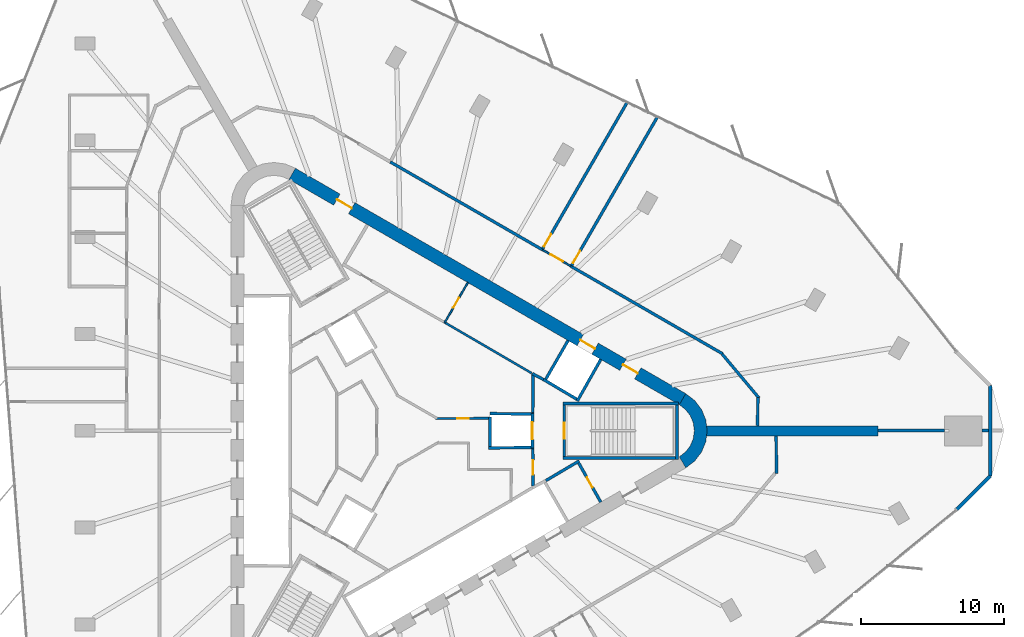
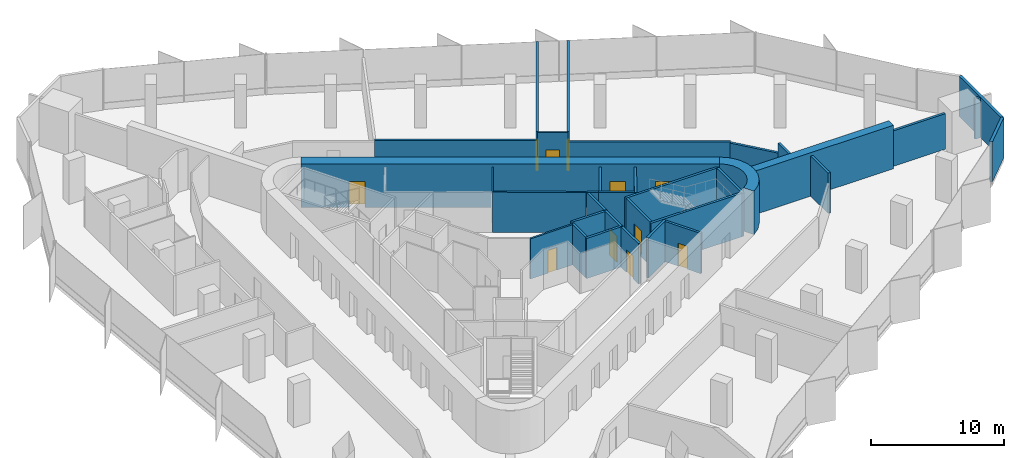
# One storey, part 11 of 13: 34 walls, 12 doors, 12 openings.
"""IFC4 building model written with IfcOpenShell, lengths in metres."""

from ifc_helpers import new_model, si_unit, direction, frame, frame_2d, origin, place, context, subcontext, project, spatial, polyline, rectangle, outline, extrude, material, layer, layer_set, type_object, element, fill, save


model = new_model("IFC4")

# Units and contexts
model_context = context("Model", 3, precision=1e-05, world=origin(), true_north=direction((0.0, 1.0)))
body_context = subcontext(model_context, "Body", "Model", "MODEL_VIEW")
ifc_project = project(units=[si_unit("LENGTHUNIT", "METRE"), si_unit("AREAUNIT", "SQUARE_METRE"), si_unit("VOLUMEUNIT", "CUBIC_METRE"), si_unit("PLANEANGLEUNIT", "RADIAN"), si_unit("MASSUNIT", "GRAM", prefix="KILO")], contexts=[model_context])

# Site, building, storey
site_placement = place(None, origin())
site = spatial("IfcSite", under=ifc_project, at=site_placement, CompositionType="ELEMENT")
building_placement = place(site_placement, origin())
building = spatial("IfcBuilding", under=site, at=building_placement, Name="Tanit Gate Tower", CompositionType="ELEMENT")
storey_placement = place(building_placement, frame((0.0, 0.0, 193.199951171875)))
storey = spatial("IfcBuildingStorey", under=building, at=storey_placement, Name="L42", CompositionType="ELEMENT", Elevation=193.199951171875)

# Wall
ifc_material_1 = material(Name="Concrete C50/60", Category="concrete")
ifc_layer_1 = layer(ifc_material_1, 0.699951171875)
ifc_layer_set_1 = layer_set([ifc_layer_1], Name="BUTTRESS FIN 700 C50/60")
wall_type_1 = type_object("IfcWallType", Name="BUTTRESS FIN 700 C50/60", PredefinedType="SHEAR", material=ifc_layer_set_1)
wall_1_placement = place(storey_placement, frame((21.14990234375, 0.0, 0.0), z_axis=(0.0, 0.0, 1.0), x_axis=(1.0, 0.0, 0.0)))
element("IfcWall", 1, at=wall_1_placement, inside=storey, type_object=wall_type_1, Name="BUTTRESS FIN", PredefinedType="SHEAR", context=body_context, shape_type="SweptSolid", body=[
    extrude(rectangle(XDim=12.0068359375, YDim=0.699951171875, at=frame_2d((6.00341796875, 0.0))), origin(), (0.0, 0.0, 1.0), 4.0),
])

# Wall, openings, doors
ifc_material_2 = material(Name="Concrete C50/60", Category="concrete")
ifc_layer_2 = layer(ifc_material_2, 0.89990234375)
ifc_layer_set_2 = layer_set([ifc_layer_2], Name="CORE WALL 900 C50/60")
wall_type_2 = type_object("IfcWallType", Name="CORE WALL 900 C50/60", PredefinedType="SHEAR", material=ifc_layer_set_2)
wall_2_placement = place(storey_placement, frame((19.47509765625, 2.20849609375, 0.0), z_axis=(0.0, 0.0, 1.0), x_axis=(-0.866028369851, 0.499994862586, 0.0)))
wall_2 = element("IfcWall", 2, at=wall_2_placement, inside=storey, type_object=wall_type_2, Name="CORE WALL", PredefinedType="SHEAR", context=body_context, shape_type="SweptSolid", body=[
    extrude(rectangle(XDim=31.523193359375, YDim=0.89990234375, at=frame_2d((15.76171875, 0.0))), origin(), (0.0, 0.0, 1.0), 4.0),
])
opening_1_placement = place(wall_2_placement, frame((7.0615234375, 0.0, 0.0)))
opening_1 = element("IfcOpeningElement", 3, at=opening_1_placement, cuts=wall_2, Name="Opening LDML8-S11", PredefinedType="OPENING", context=body_context, shape_type="SweptSolid", body=[
    extrude(rectangle(XDim=1.199951171875, YDim=2.39990234375, at=frame_2d((0.60009765625, 1.199951171875))), frame((0.0, 0.4599609375, 0.0), z_axis=(0.0, -1.0, 0.0), x_axis=(1.0, 0.0, 0.0)), (0.0, 0.0, 1.0), 0.919921875),
])
opening_2_placement = place(wall_2_placement, frame((3.611572265625, 0.0, 0.0)))
opening_2 = element("IfcOpeningElement", 4, at=opening_2_placement, cuts=wall_2, Name="Opening F12-S11-FL1", PredefinedType="OPENING", context=body_context, shape_type="SweptSolid", body=[
    extrude(rectangle(XDim=1.199951171875, YDim=2.39990234375, at=frame_2d((0.60009765625, 1.199951171875))), frame((0.0, 0.4599609375, 0.0), z_axis=(0.0, -1.0, 0.0), x_axis=(1.0, 0.0, 0.0)), (0.0, 0.0, 1.0), 0.919921875),
])
opening_3_placement = place(wall_2_placement, frame((26.711669921875, 0.0, 0.0)))
opening_3 = element("IfcOpeningElement", 5, at=opening_3_placement, cuts=wall_2, Name="Opening F12-S11-S2", PredefinedType="OPENING", context=body_context, shape_type="SweptSolid", body=[
    extrude(rectangle(XDim=1.199951171875, YDim=2.39990234375, at=frame_2d((0.60009765625, 1.199951171875))), frame((0.0, 0.4599609375, 0.0), z_axis=(0.0, -1.0, 0.0), x_axis=(1.0, 0.0, 0.0)), (0.0, 0.0, 1.0), 0.919921875),
])
ifc_material_3 = material(Name="Fire-rated steel door leaf", Category="steel")
door_type_1 = type_object("IfcDoorType", Name="INT-DOOR-FIRE-LOBBY-1200", OperationType="NOTDEFINED", PredefinedType="USERDEFINED", material=ifc_material_3)
door_1_placement = place(opening_2_placement, origin())
door_1 = element("IfcDoor", 6, at=door_1_placement, inside=storey, type_object=door_type_1, Name="Door F12-S11-FL1", ObjectType="FIRE DOOR", OperationType="SINGLE_SWING_RIGHT", OverallHeight=2.39990234375, OverallWidth=1.199951171875, PredefinedType="USERDEFINED", context=body_context, shape_type="SweptSolid", body=[
    extrude(rectangle(XDim=1.199951171875, YDim=2.39990234375, at=frame_2d((0.60009765625, 1.199951171875))), frame((0.0, 0.02490234375, 0.0), z_axis=(0.0, -1.0, 0.0), x_axis=(1.0, 0.0, 0.0)), (0.0, 0.0, 1.0), 0.050048828125),
])
fill(opening_2, door_1)
door_2_placement = place(opening_3_placement, origin())
door_2 = element("IfcDoor", 7, at=door_2_placement, inside=storey, type_object=door_type_1, Name="Door F12-S11-S2", ObjectType="FIRE DOOR", OperationType="SINGLE_SWING_RIGHT", OverallHeight=2.39990234375, OverallWidth=1.199951171875, PredefinedType="USERDEFINED", context=body_context, shape_type="SweptSolid", body=[
    extrude(rectangle(XDim=1.199951171875, YDim=2.39990234375, at=frame_2d((0.60009765625, 1.199951171875))), frame((0.0, 0.02490234375, 0.0), z_axis=(0.0, -1.0, 0.0), x_axis=(1.0, 0.0, 0.0)), (0.0, 0.0, 1.0), 0.050048828125),
])
fill(opening_3, door_2)
ifc_material_4 = material(Name="Stainless steel sliding door leaf", Category="steel")
door_type_2 = type_object("IfcDoorType", Name="INT-DOOR-LANDING-1200", OperationType="NOTDEFINED", PredefinedType="USERDEFINED", material=ifc_material_4)
door_3_placement = place(opening_1_placement, origin())
door_3 = element("IfcDoor", 8, at=door_3_placement, inside=storey, type_object=door_type_2, Name="Door LDML8-S11", ObjectType="LANDING DOOR", OperationType="SLIDING_TO_LEFT", OverallHeight=2.39990234375, OverallWidth=1.199951171875, PredefinedType="USERDEFINED", context=body_context, shape_type="SweptSolid", body=[
    extrude(rectangle(XDim=1.199951171875, YDim=2.39990234375, at=frame_2d((0.60009765625, 1.199951171875))), frame((0.0, 0.02490234375, 0.0), z_axis=(0.0, -1.0, 0.0), x_axis=(1.0, 0.0, 0.0)), (0.0, 0.0, 1.0), 0.050048828125),
])
fill(opening_1, door_3)

# Walls
wall_3_placement = place(storey_placement, origin())
element("IfcWall", 9, at=wall_3_placement, inside=storey, type_object=wall_type_2, Name="CORE WALL CORNER", PredefinedType="SHEAR", context=body_context, shape_type="SweptSolid", body=[
    extrude(outline(polyline([(19.699951171875, -2.59814453125), (20.3212890625, -2.121337890625), (20.798095703125, -1.5), (21.097900390625, -0.776611328125), (21.199951171875, 0.0), (21.097900390625, 0.776611328125), (20.798095703125, 1.5), (20.3212890625, 2.121337890625), (19.699951171875, 2.59814453125), (19.25, 1.818603515625), (19.684814453125, 1.48486328125), (20.018798828125, 1.050048828125), (20.228515625, 0.54345703125), (20.300048828125, 0.0), (20.228515625, -0.54345703125), (20.018798828125, -1.050048828125), (19.684814453125, -1.48486328125), (19.25, -1.818603515625), (19.699951171875, -2.59814453125)])), origin(), (0.0, 0.0, 1.0), 4.0),
])
ifc_material_5 = material(Name="Concrete C30/37 with bronze anodised aluminium cladding", Category="concrete")
ifc_layer_3 = layer(ifc_material_5, 0.239990234375)
ifc_layer_set_3 = layer_set([ifc_layer_3], Name="Facade wall bronze clad 240")
wall_type_3 = type_object("IfcWallType", Name="Facade wall bronze clad 240", PredefinedType="SOLIDWALL", material=ifc_layer_set_3)
wall_4_placement = place(storey_placement, frame((38.648681640625, -5.5009765625, 0.0), z_axis=(0.0, 0.0, 1.0), x_axis=(0.707106781187, 0.707106781187, 0.0)))
element("IfcWall", 10, at=wall_4_placement, inside=storey, type_object=wall_type_3, Name="Bronze-clad facade wall L42 E.arc1", PredefinedType="SOLIDWALL", context=body_context, shape_type="SweptSolid", body=[
    extrude(rectangle(XDim=3.30322265625, YDim=0.239990234375, at=frame_2d((1.651611328125, 0.0))), origin(), (0.0, 0.0, 1.0), 3.699951171875),
])
wall_5_placement = place(storey_placement, frame((40.984375, -3.165283203125, 0.0), z_axis=(0.0, 0.0, 1.0), x_axis=(0.0, 1.0, 0.0)))
element("IfcWall", 11, at=wall_5_placement, inside=storey, type_object=wall_type_3, Name="Bronze-clad facade wall L42 E.arc2", PredefinedType="SOLIDWALL", context=body_context, shape_type="SweptSolid", body=[
    extrude(rectangle(XDim=6.33056640625, YDim=0.239990234375, at=frame_2d((3.165283203125, 0.0))), origin(), (0.0, 0.0, 1.0), 3.699951171875),
])
ifc_material_6 = material(Name="Fire-rated gypsum board partition")
ifc_layer_4 = layer(ifc_material_6, 0.199951171875)
ifc_layer_set_4 = layer_set([ifc_layer_4], Name="INT-WALL-COMPARTMENT")
wall_type_4 = type_object("IfcWallType", Name="INT-WALL-COMPARTMENT", PredefinedType="PARTITIONING", material=ifc_layer_set_4)
wall_6_placement = place(storey_placement, frame((8.97412109375, 3.998779296875, 0.0), z_axis=(0.0, 0.0, 1.0), x_axis=(0.880917147855, -0.473270513147, 0.0)))
element("IfcWall", 12, at=wall_6_placement, inside=storey, type_object=wall_type_4, Name="Wall Compartment W050", PredefinedType="PARTITIONING", context=body_context, shape_type="SweptSolid", body=[
    extrude(rectangle(XDim=0.8779296875, YDim=0.199951171875, at=frame_2d((0.43896484375, 0.0))), origin(), (0.0, 0.0, 1.0), 3.699951171875),
])
wall_7_placement = place(storey_placement, frame((12.244873046875, -2.10888671875, 0.0), z_axis=(0.0, 0.0, 1.0), x_axis=(-0.860414880418, -0.509594185166, 0.0)))
element("IfcWall", 13, at=wall_7_placement, inside=storey, type_object=wall_type_4, Name="Wall Compartment W055", PredefinedType="PARTITIONING", context=body_context, shape_type="SweptSolid", body=[
    extrude(rectangle(XDim=2.7001953125, YDim=0.199951171875, at=frame_2d((1.35009765625, 0.0))), origin(), (0.0, 0.0, 1.0), 3.699951171875),
])

# Wall, opening, door
wall_8_placement = place(storey_placement, frame((13.758056640625, -4.989501953125, 0.0), z_axis=(0.0, 0.0, 1.0), x_axis=(-0.491993409184, 0.87059892334, 0.0)))
wall_8 = element("IfcWall", 14, at=wall_8_placement, inside=storey, type_object=wall_type_4, Name="Wall Compartment W056", PredefinedType="PARTITIONING", context=body_context, shape_type="SweptSolid", body=[
    extrude(rectangle(XDim=3.150146484375, YDim=0.199951171875, at=frame_2d((1.5751953125, 0.0))), origin(), (0.0, 0.0, 1.0), 3.699951171875),
])
opening_4_placement = place(wall_8_placement, frame((1.175048828125, 0.0, 0.0)))
opening_4 = element("IfcOpeningElement", 15, at=opening_4_placement, cuts=wall_8, Name="Opening R08-S11-16", PredefinedType="OPENING", context=body_context, shape_type="SweptSolid", body=[
    extrude(rectangle(XDim=0.800048828125, YDim=2.10009765625, at=frame_2d((0.39990234375, 1.050048828125))), frame((0.0, 0.10986328125, 0.0), z_axis=(0.0, -1.0, 0.0), x_axis=(1.0, 0.0, 0.0)), (0.0, 0.0, 1.0), 0.219970703125),
])
ifc_material_7 = material(Name="Timber door leaf", Category="wood")
door_type_3 = type_object("IfcDoorType", Name="INT-DOOR-RISER-800", OperationType="NOTDEFINED", PredefinedType="USERDEFINED", material=ifc_material_7)
door_4_placement = place(opening_4_placement, origin())
door_4 = element("IfcDoor", 16, at=door_4_placement, inside=storey, type_object=door_type_3, Name="Door R08-S11-16", ObjectType="FIRE DOOR", OperationType="SINGLE_SWING_LEFT", OverallHeight=2.10009765625, OverallWidth=0.800048828125, PredefinedType="USERDEFINED", context=body_context, shape_type="SweptSolid", body=[
    extrude(rectangle(XDim=0.800048828125, YDim=2.10009765625, at=frame_2d((0.39990234375, 1.050048828125))), frame((0.0, 0.02490234375, 0.0), z_axis=(0.0, -1.0, 0.0), x_axis=(1.0, 0.0, 0.0)), (0.0, 0.0, 1.0), 0.050048828125),
])
fill(opening_4, door_4)

# Wall
wall_9_placement = place(storey_placement, frame((9.0009765625, 1.27001953125, 0.0), z_axis=(0.0, 0.0, 1.0), x_axis=(0.010747252091, 0.999942246619, 0.0)))
element("IfcWall", 17, at=wall_9_placement, inside=storey, type_object=wall_type_4, Name="Wall Compartment W057", PredefinedType="PARTITIONING", context=body_context, shape_type="SweptSolid", body=[
    extrude(rectangle(XDim=2.72607421875, YDim=0.199951171875, at=frame_2d((1.363037109375, 0.0))), origin(), (0.0, 0.0, 1.0), 3.699951171875),
])

# Wall, opening, door
wall_10_placement = place(storey_placement, frame((9.02880859375, -3.850830078125, 0.0), z_axis=(0.0, 0.0, 1.0), x_axis=(-0.010783593937, 0.99994185536, 0.0)))
wall_10 = element("IfcWall", 18, at=wall_10_placement, inside=storey, type_object=wall_type_4, Name="Wall Compartment W058", PredefinedType="PARTITIONING", context=body_context, shape_type="SweptSolid", body=[
    extrude(rectangle(XDim=2.5810546875, YDim=0.199951171875, at=frame_2d((1.29052734375, 0.0))), origin(), (0.0, 0.0, 1.0), 3.699951171875),
])
opening_5_placement = place(wall_10_placement, frame((0.79052734375, 0.0, 0.0)))
opening_5 = element("IfcOpeningElement", 19, at=opening_5_placement, cuts=wall_10, Name="Opening F10-S11-02", PredefinedType="OPENING", context=body_context, shape_type="SweptSolid", body=[
    extrude(rectangle(XDim=1.0, YDim=2.10009765625, at=frame_2d((0.5, 1.050048828125))), frame((0.0, 0.10986328125, 0.0), z_axis=(0.0, -1.0, 0.0), x_axis=(1.0, 0.0, 0.0)), (0.0, 0.0, 1.0), 0.219970703125),
])
ifc_material_8 = material(Name="Fire-rated steel door leaf", Category="steel")
door_type_4 = type_object("IfcDoorType", Name="INT-DOOR-FIRE-1000", OperationType="NOTDEFINED", PredefinedType="USERDEFINED", material=ifc_material_8)
door_5_placement = place(opening_5_placement, origin())
door_5 = element("IfcDoor", 20, at=door_5_placement, inside=storey, type_object=door_type_4, Name="Door F10-S11-02", ObjectType="FIRE DOOR", OperationType="SINGLE_SWING_RIGHT", OverallHeight=2.10009765625, OverallWidth=1.0, PredefinedType="USERDEFINED", context=body_context, shape_type="SweptSolid", body=[
    extrude(rectangle(XDim=1.0, YDim=2.10009765625, at=frame_2d((0.5, 1.050048828125))), frame((0.0, 0.02490234375, 0.0), z_axis=(0.0, -1.0, 0.0), x_axis=(1.0, 0.0, 0.0)), (0.0, 0.0, 1.0), 0.050048828125),
])
fill(opening_5, door_5)

# Walls
wall_11_placement = place(storey_placement, frame((22.270263671875, 5.386474609375, 0.0), z_axis=(0.0, 0.0, 1.0), x_axis=(-0.866019551165, 0.500010136897, 0.0)))
element("IfcWall", 21, at=wall_11_placement, inside=storey, type_object=wall_type_4, Name="Wall Compartment W104", PredefinedType="PARTITIONING", context=body_context, shape_type="SweptSolid", body=[
    extrude(rectangle(XDim=12.243408203125, YDim=0.199951171875, at=frame_2d((6.12158203125, 0.0))), origin(), (0.0, 0.0, 1.0), 2.880126953125),
])
wall_12_placement = place(storey_placement, frame((9.67529296875, 12.658203125, 0.0), z_axis=(0.0, 0.0, 1.0), x_axis=(-0.866018456403, 0.500012033024, 0.0)))
element("IfcWall", 22, at=wall_12_placement, inside=storey, type_object=wall_type_4, Name="Wall Compartment W103", PredefinedType="PARTITIONING", context=body_context, shape_type="SweptSolid", body=[
    extrude(rectangle(XDim=12.284912109375, YDim=0.199951171875, at=frame_2d((6.142578125, 0.0))), origin(), (0.0, 0.0, 1.0), 2.97998046875),
])
wall_13_placement = place(storey_placement, frame((24.82080078125, 2.293701171875, 0.0), z_axis=(0.0, 0.0, 1.0), x_axis=(-0.642778579944, 0.766052019882, 0.0)))
element("IfcWall", 23, at=wall_13_placement, inside=storey, type_object=wall_type_4, Name="Wall Compartment W105", PredefinedType="PARTITIONING", context=body_context, shape_type="SweptSolid", body=[
    extrude(rectangle(XDim=4.00244140625, YDim=0.199951171875, at=frame_2d((2.001220703125, 0.0))), origin(), (0.0, 0.0, 1.0), 2.780029296875),
])
wall_14_placement = place(storey_placement, frame((24.720703125, 0.35009765625, 0.0), z_axis=(0.0, 0.0, 1.0), x_axis=(0.012552857034, 0.999921209786, 0.0)))
element("IfcWall", 24, at=wall_14_placement, inside=storey, type_object=wall_type_4, Name="Wall Compartment W106", PredefinedType="PARTITIONING", context=body_context, shape_type="SweptSolid", body=[
    extrude(rectangle(XDim=1.98388671875, YDim=0.199951171875, at=frame_2d((0.991943359375, 0.0))), origin(), (0.0, 0.0, 1.0), 3.699951171875),
])
wall_15_placement = place(storey_placement, frame((26.04736328125, -2.972412109375, 0.0), z_axis=(0.0, 0.0, 1.0), x_axis=(-0.010519853563, 0.99994466481, 0.0)))
element("IfcWall", 25, at=wall_15_placement, inside=storey, type_object=wall_type_4, Name="Wall Compartment W108", PredefinedType="PARTITIONING", context=body_context, shape_type="SweptSolid", body=[
    extrude(rectangle(XDim=2.62255859375, YDim=0.199951171875, at=frame_2d((1.311279296875, 0.0))), origin(), (0.0, 0.0, 1.0), 3.699951171875),
])

# Wall, opening, door
wall_16_placement = place(storey_placement, frame((15.5986328125, 22.9580078125, 0.0), z_axis=(0.0, 0.0, 1.0), x_axis=(-0.499990610615, -0.866030824681, 0.0)))
wall_16 = element("IfcWall", 26, at=wall_16_placement, inside=storey, type_object=wall_type_4, Name="Wall Compartment W128", PredefinedType="PARTITIONING", context=body_context, shape_type="SweptSolid", body=[
    extrude(rectangle(XDim=11.821533203125, YDim=0.199951171875, at=frame_2d((5.91064453125, 0.0))), origin(), (0.0, 0.0, 1.0), 3.699951171875),
])
opening_6_placement = place(wall_16_placement, frame((10.621337890625, 0.0, 0.0)))
opening_6 = element("IfcOpeningElement", 27, at=opening_6_placement, cuts=wall_16, Name="Opening F10-S11-28", PredefinedType="OPENING", context=body_context, shape_type="SweptSolid", body=[
    extrude(rectangle(XDim=1.0, YDim=2.10009765625, at=frame_2d((0.5, 1.050048828125))), frame((0.0, 0.10986328125, 0.0), z_axis=(0.0, -1.0, 0.0), x_axis=(1.0, 0.0, 0.0)), (0.0, 0.0, 1.0), 0.219970703125),
])
door_6_placement = place(opening_6_placement, origin())
door_6 = element("IfcDoor", 28, at=door_6_placement, inside=storey, type_object=door_type_4, Name="Door F10-S11-28", ObjectType="FIRE DOOR", OperationType="SINGLE_SWING_RIGHT", OverallHeight=2.10009765625, OverallWidth=1.0, PredefinedType="USERDEFINED", context=body_context, shape_type="SweptSolid", body=[
    extrude(rectangle(XDim=1.0, YDim=2.10009765625, at=frame_2d((0.5, 1.050048828125))), frame((0.0, 0.02490234375, 0.0), z_axis=(0.0, -1.0, 0.0), x_axis=(1.0, 0.0, 0.0)), (0.0, 0.0, 1.0), 0.050048828125),
])
fill(opening_6, door_6)

wall_17_placement = place(storey_placement, frame((11.714599609375, 11.550048828125, 0.0), z_axis=(0.0, 0.0, 1.0), x_axis=(0.499988877688, 0.866031825159, 0.0)))
wall_17 = element("IfcWall", 29, at=wall_17_placement, inside=storey, type_object=wall_type_4, Name="Wall Compartment W129", PredefinedType="PARTITIONING", context=body_context, shape_type="SweptSolid", body=[
    extrude(rectangle(XDim=12.004150390625, YDim=0.199951171875, at=frame_2d((6.001953125, 0.0))), origin(), (0.0, 0.0, 1.0), 3.699951171875),
])
opening_7_placement = place(wall_17_placement, frame((0.199951171875, 0.0, 0.0)))
opening_7 = element("IfcOpeningElement", 30, at=opening_7_placement, cuts=wall_17, Name="Opening F10-S11-29", PredefinedType="OPENING", context=body_context, shape_type="SweptSolid", body=[
    extrude(rectangle(XDim=1.0, YDim=2.10009765625, at=frame_2d((0.5, 1.050048828125))), frame((0.0, 0.10986328125, 0.0), z_axis=(0.0, -1.0, 0.0), x_axis=(1.0, 0.0, 0.0)), (0.0, 0.0, 1.0), 0.219970703125),
])
door_7_placement = place(opening_7_placement, origin())
door_7 = element("IfcDoor", 31, at=door_7_placement, inside=storey, type_object=door_type_4, Name="Door F10-S11-29", ObjectType="FIRE DOOR", OperationType="SINGLE_SWING_RIGHT", OverallHeight=2.10009765625, OverallWidth=1.0, PredefinedType="USERDEFINED", context=body_context, shape_type="SweptSolid", body=[
    extrude(rectangle(XDim=1.0, YDim=2.10009765625, at=frame_2d((0.5, 1.050048828125))), frame((0.0, 0.02490234375, 0.0), z_axis=(0.0, -1.0, 0.0), x_axis=(1.0, 0.0, 0.0)), (0.0, 0.0, 1.0), 0.050048828125),
])
fill(opening_7, door_7)

# Walls
wall_18_placement = place(storey_placement, frame((33.15673828125, 0.01806640625, 0.0), z_axis=(0.0, 0.0, 1.0), x_axis=(0.999996690576, 0.002572710167, 0.0)))
element("IfcWall", 32, at=wall_18_placement, inside=storey, type_object=wall_type_4, Name="Wall Compartment W131", PredefinedType="PARTITIONING", context=body_context, shape_type="SweptSolid", body=[
    extrude(rectangle(XDim=4.64990234375, YDim=0.199951171875, at=frame_2d((2.324951171875, 0.0))), origin(), (0.0, 0.0, 1.0), 3.27001953125),
])
wall_19_placement = place(storey_placement, frame((40.40673828125, 0.030029296875, 0.0), z_axis=(0.0, 0.0, 1.0), x_axis=(1.0, 0.0, 0.0)))
element("IfcWall", 33, at=wall_19_placement, inside=storey, type_object=wall_type_4, Name="Wall Compartment W132", PredefinedType="PARTITIONING", context=body_context, shape_type="SweptSolid", body=[
    extrude(rectangle(XDim=0.45751953125, YDim=0.199951171875, at=frame_2d((0.228759765625, 0.0))), origin(), (0.0, 0.0, 1.0), 3.699951171875),
])

# Wall, opening, door
ifc_material_9 = material(Name="Gypsum board partition")
ifc_layer_5 = layer(ifc_material_9, 0.1201171875)
ifc_layer_set_5 = layer_set([ifc_layer_5], Name="INT-WALL-PARTITION")
wall_type_5 = type_object("IfcWallType", Name="INT-WALL-PARTITION", PredefinedType="PARTITIONING", material=ifc_layer_set_5)
wall_20_placement = place(storey_placement, frame((4.456787109375, 10.359375, 0.0), z_axis=(0.0, 0.0, 1.0), x_axis=(-0.500017246033, -0.866015446554, 0.0)))
wall_20 = element("IfcWall", 34, at=wall_20_placement, inside=storey, type_object=wall_type_5, Name="Wall Partition W049", PredefinedType="PARTITIONING", context=body_context, shape_type="SweptSolid", body=[
    extrude(rectangle(XDim=3.25, YDim=0.1201171875, at=frame_2d((1.625, 0.0))), origin(), (0.0, 0.0, 1.0), 3.699951171875),
])
opening_8_placement = place(wall_20_placement, frame((1.22509765625, 0.0, 0.0)))
opening_8 = element("IfcOpeningElement", 35, at=opening_8_placement, cuts=wall_20, Name="Opening R08-S11-14", PredefinedType="OPENING", context=body_context, shape_type="SweptSolid", body=[
    extrude(rectangle(XDim=0.800048828125, YDim=2.10009765625, at=frame_2d((0.39990234375, 1.050048828125))), frame((0.0, 0.070068359375, 0.0), z_axis=(0.0, -1.0, 0.0), x_axis=(1.0, 0.0, 0.0)), (0.0, 0.0, 1.0), 0.14013671875),
])
door_8_placement = place(opening_8_placement, origin())
door_8 = element("IfcDoor", 36, at=door_8_placement, inside=storey, type_object=door_type_3, Name="Door R08-S11-14", ObjectType="FIRE DOOR", OperationType="SINGLE_SWING_RIGHT", OverallHeight=2.10009765625, OverallWidth=0.800048828125, PredefinedType="USERDEFINED", context=body_context, shape_type="SweptSolid", body=[
    extrude(rectangle(XDim=0.800048828125, YDim=2.10009765625, at=frame_2d((0.39990234375, 1.050048828125))), frame((0.0, 0.02490234375, 0.0), z_axis=(0.0, -1.0, 0.0), x_axis=(1.0, 0.0, 0.0)), (0.0, 0.0, 1.0), 0.050048828125),
])
fill(opening_8, door_8)

wall_21_placement = place(storey_placement, frame((11.667236328125, 11.50830078125, 0.0), z_axis=(0.0, 0.0, 1.0), x_axis=(-0.866053019151, 0.499952165731, 0.0)))
wall_21 = element("IfcWall", 37, at=wall_21_placement, inside=storey, type_object=wall_type_5, Name="Wall Partition W099", PredefinedType="PARTITIONING", context=body_context, shape_type="SweptSolid", body=[
    extrude(rectangle(XDim=2.300048828125, YDim=0.1201171875, at=frame_2d((1.14990234375, 0.0))), origin(), (0.0, 0.0, 1.0), 3.699951171875),
])
opening_9_placement = place(wall_21_placement, frame((0.64990234375, 0.0, 0.0)))
opening_9 = element("IfcOpeningElement", 38, at=opening_9_placement, cuts=wall_21, Name="Opening D10-S11-19", PredefinedType="OPENING", context=body_context, shape_type="SweptSolid", body=[
    extrude(rectangle(XDim=1.0, YDim=2.10009765625, at=frame_2d((0.5, 1.050048828125))), frame((0.0, 0.070068359375, 0.0), z_axis=(0.0, -1.0, 0.0), x_axis=(1.0, 0.0, 0.0)), (0.0, 0.0, 1.0), 0.14013671875),
])
ifc_material_10 = material(Name="Timber door leaf", Category="wood")
door_type_5 = type_object("IfcDoorType", Name="INT-DOOR-SINGLE-1000", OperationType="NOTDEFINED", PredefinedType="NOTDEFINED", material=ifc_material_10)
door_9_placement = place(opening_9_placement, origin())
door_9 = element("IfcDoor", 39, at=door_9_placement, inside=storey, type_object=door_type_5, Name="Door D10-S11-19", OperationType="SINGLE_SWING_LEFT", OverallHeight=2.10009765625, OverallWidth=1.0, PredefinedType="NOTDEFINED", context=body_context, shape_type="SweptSolid", body=[
    extrude(rectangle(XDim=1.0, YDim=2.10009765625, at=frame_2d((0.5, 1.050048828125))), frame((0.0, 0.02490234375, 0.0), z_axis=(0.0, -1.0, 0.0), x_axis=(1.0, 0.0, 0.0)), (0.0, 0.0, 1.0), 0.050048828125),
])
fill(opening_9, door_9)

# Wall
ifc_material_11 = material(Name="Fire-rated gypsum board partition")
ifc_layer_6 = layer(ifc_material_11, 0.14990234375)
ifc_layer_set_6 = layer_set([ifc_layer_6], Name="INT-WALL-RISER")
wall_type_6 = type_object("IfcWallType", Name="INT-WALL-RISER", PredefinedType="PLUMBINGWALL", material=ifc_layer_set_6)
wall_22_placement = place(storey_placement, frame((8.9306640625, 4.0244140625, 0.0), z_axis=(0.0, 0.0, 1.0), x_axis=(-0.863936620311, 0.50360055211, 0.0)))
element("IfcWall", 40, at=wall_22_placement, inside=storey, type_object=wall_type_6, Name="Wall Riser W051", PredefinedType="PLUMBINGWALL", context=body_context, shape_type="SweptSolid", body=[
    extrude(rectangle(XDim=7.072021484375, YDim=0.14990234375, at=frame_2d((3.5361328125, 0.0))), origin(), (0.0, 0.0, 1.0), 3.699951171875),
])

# Wall, opening, door
wall_23_placement = place(storey_placement, frame((2.210693359375, 0.848876953125, 0.0), z_axis=(0.0, 0.0, 1.0), x_axis=(0.999967410175, 0.00807332566, 0.0)))
wall_23 = element("IfcWall", 41, at=wall_23_placement, inside=storey, type_object=wall_type_6, Name="Wall Riser W063", PredefinedType="PLUMBINGWALL", context=body_context, shape_type="SweptSolid", body=[
    extrude(rectangle(XDim=3.689208984375, YDim=0.14990234375, at=frame_2d((1.8447265625, 0.0))), origin(), (0.0, 0.0, 1.0), 3.699951171875),
])
opening_10_placement = place(wall_23_placement, frame((1.50830078125, 0.0, 0.0)))
opening_10 = element("IfcOpeningElement", 42, at=opening_10_placement, cuts=wall_23, Name="Opening R08-S11-10", PredefinedType="OPENING", context=body_context, shape_type="SweptSolid", body=[
    extrude(rectangle(XDim=0.800048828125, YDim=2.10009765625, at=frame_2d((0.39990234375, 1.050048828125))), frame((0.0, 0.0849609375, 0.0), z_axis=(0.0, -1.0, 0.0), x_axis=(1.0, 0.0, 0.0)), (0.0, 0.0, 1.0), 0.169921875),
])
door_10_placement = place(opening_10_placement, origin())
door_10 = element("IfcDoor", 43, at=door_10_placement, inside=storey, type_object=door_type_3, Name="Door R08-S11-10", ObjectType="FIRE DOOR", OperationType="SINGLE_SWING_LEFT", OverallHeight=2.10009765625, OverallWidth=0.800048828125, PredefinedType="USERDEFINED", context=body_context, shape_type="SweptSolid", body=[
    extrude(rectangle(XDim=0.800048828125, YDim=2.10009765625, at=frame_2d((0.39990234375, 1.050048828125))), frame((0.0, 0.02490234375, 0.0), z_axis=(0.0, -1.0, 0.0), x_axis=(1.0, 0.0, 0.0)), (0.0, 0.0, 1.0), 0.050048828125),
])
fill(opening_10, door_10)

# Walls
ifc_material_12 = material(Name="Gypsum shaft wall system")
ifc_layer_7 = layer(ifc_material_12, 0.199951171875)
ifc_layer_set_7 = layer_set([ifc_layer_7], Name="INT-WALL-SHAFT")
wall_type_7 = type_object("IfcWallType", Name="INT-WALL-SHAFT", PredefinedType="PLUMBINGWALL", material=ifc_layer_set_7)
wall_24_placement = place(storey_placement, frame((9.8466796875, 3.494873046875, 0.0), z_axis=(0.0, 0.0, 1.0), x_axis=(0.499984717929, 0.866034226713, 0.0)))
element("IfcWall", 44, at=wall_24_placement, inside=storey, type_object=wall_type_7, Name="Wall Shaft W012", PredefinedType="PLUMBINGWALL", context=body_context, shape_type="SweptSolid", body=[
    extrude(rectangle(XDim=3.25, YDim=0.199951171875, at=frame_2d((1.625, 0.0))), origin(), (0.0, 0.0, 1.0), 3.699951171875),
])
wall_25_placement = place(storey_placement, frame((12.10986328125, 2.07275390625, 0.0), z_axis=(0.0, 0.0, 1.0), x_axis=(0.49196600604, 0.870614408852, 0.0)))
element("IfcWall", 45, at=wall_25_placement, inside=storey, type_object=wall_type_7, Name="Wall Shaft W013", PredefinedType="PLUMBINGWALL", context=body_context, shape_type="SweptSolid", body=[
    extrude(rectangle(XDim=3.35009765625, YDim=0.199951171875, at=frame_2d((1.675048828125, 0.0))), origin(), (0.0, 0.0, 1.0), 3.699951171875),
])
wall_26_placement = place(storey_placement, frame((12.072998046875, 2.2109375, 0.0), z_axis=(0.0, 0.0, 1.0), x_axis=(-0.860414880418, 0.509594185166, 0.0)))
element("IfcWall", 46, at=wall_26_placement, inside=storey, type_object=wall_type_7, Name="Wall Shaft W014", PredefinedType="PLUMBINGWALL", context=body_context, shape_type="SweptSolid", body=[
    extrude(rectangle(XDim=2.7001953125, YDim=0.199951171875, at=frame_2d((1.35009765625, 0.0))), origin(), (0.0, 0.0, 1.0), 3.699951171875),
])

# Wall, opening, door
wall_27_placement = place(storey_placement, frame((8.969970703125, 1.199951171875, 0.0), z_axis=(0.0, 0.0, 1.0), x_axis=(0.0, -1.0, 0.0)))
wall_27 = element("IfcWall", 47, at=wall_27_placement, inside=storey, type_object=wall_type_7, Name="Wall Shaft W029", PredefinedType="PLUMBINGWALL", context=body_context, shape_type="SweptSolid", body=[
    extrude(rectangle(XDim=2.39990234375, YDim=0.199951171875, at=frame_2d((1.199951171875, 0.0))), origin(), (0.0, 0.0, 1.0), 3.699951171875),
])
opening_11_placement = place(wall_27_placement, frame((0.60009765625, 0.0, 0.0)))
opening_11 = element("IfcOpeningElement", 48, at=opening_11_placement, cuts=wall_27, Name="Opening LDFL1-L42", PredefinedType="OPENING", context=body_context, shape_type="SweptSolid", body=[
    extrude(rectangle(XDim=1.199951171875, YDim=2.39990234375, at=frame_2d((0.60009765625, 1.199951171875))), frame((0.0, 0.10986328125, 0.0), z_axis=(0.0, -1.0, 0.0), x_axis=(1.0, 0.0, 0.0)), (0.0, 0.0, 1.0), 0.219970703125),
])
door_11_placement = place(opening_11_placement, origin())
door_11 = element("IfcDoor", 49, at=door_11_placement, inside=storey, type_object=door_type_2, Name="Door LDFL1-L42", ObjectType="LANDING DOOR", OperationType="SLIDING_TO_LEFT", OverallHeight=2.39990234375, OverallWidth=1.199951171875, PredefinedType="USERDEFINED", context=body_context, shape_type="SweptSolid", body=[
    extrude(rectangle(XDim=1.199951171875, YDim=2.39990234375, at=frame_2d((0.60009765625, 1.199951171875))), frame((0.0, 0.02490234375, 0.0), z_axis=(0.0, -1.0, 0.0), x_axis=(1.0, 0.0, 0.0)), (0.0, 0.0, 1.0), 0.050048828125),
])
fill(opening_11, door_11)

# Walls
wall_28_placement = place(storey_placement, frame((6.0, 1.199951171875, 0.0), z_axis=(0.0, 0.0, 1.0), x_axis=(0.999949988, -0.010001074852, 0.0)))
element("IfcWall", 50, at=wall_28_placement, inside=storey, type_object=wall_type_7, Name="Wall Shaft W030", PredefinedType="PLUMBINGWALL", context=body_context, shape_type="SweptSolid", body=[
    extrude(rectangle(XDim=3.100341796875, YDim=0.199951171875, at=frame_2d((1.55029296875, 0.0))), origin(), (0.0, 0.0, 1.0), 3.699951171875),
])
wall_29_placement = place(storey_placement, frame((5.89990234375, -1.200927734375, 0.0), z_axis=(0.0, 0.0, 1.0), x_axis=(0.999950064753, 0.009993397809, 0.0)))
element("IfcWall", 51, at=wall_29_placement, inside=storey, type_object=wall_type_7, Name="Wall Shaft W031", PredefinedType="PLUMBINGWALL", context=body_context, shape_type="SweptSolid", body=[
    extrude(rectangle(XDim=3.200439453125, YDim=0.199951171875, at=frame_2d((1.60009765625, 0.0))), origin(), (0.0, 0.0, 1.0), 3.699951171875),
])
wall_30_placement = place(storey_placement, frame((6.0, -1.10009765625, 0.0), z_axis=(0.0, 0.0, 1.0), x_axis=(0.0, 1.0, 0.0)))
element("IfcWall", 52, at=wall_30_placement, inside=storey, type_object=wall_type_7, Name="Wall Shaft W032", PredefinedType="PLUMBINGWALL", context=body_context, shape_type="SweptSolid", body=[
    extrude(rectangle(XDim=2.0546875, YDim=0.199951171875, at=frame_2d((1.02734375, 0.0))), origin(), (0.0, 0.0, 1.0), 3.699951171875),
])
ifc_material_13 = material(Name="Concrete C40/50", Category="concrete")
ifc_layer_8 = layer(ifc_material_13, 0.199951171875)
ifc_layer_set_8 = layer_set([ifc_layer_8], Name="INT-WALL-STAIR")
wall_type_8 = type_object("IfcWallType", Name="INT-WALL-STAIR", PredefinedType="SHEAR", material=ifc_layer_set_8)
wall_31_placement = place(storey_placement, frame((19.199951171875, 1.89990234375, -0.300048828125), z_axis=(0.0, 0.0, 1.0), x_axis=(-1.0, 0.0, 0.0)))
element("IfcWall", 53, at=wall_31_placement, inside=storey, type_object=wall_type_8, Name="Wall Stair W025", PredefinedType="SHEAR", context=body_context, shape_type="SweptSolid", body=[
    extrude(rectangle(XDim=8.099853515625, YDim=0.199951171875, at=frame_2d((4.0498046875, 0.0))), origin(), (0.0, 0.0, 1.0), 4.0),
])
wall_32_placement = place(storey_placement, frame((19.10009765625, -2.0, -0.300048828125), z_axis=(0.0, 0.0, 1.0), x_axis=(0.0, 1.0, 0.0)))
element("IfcWall", 54, at=wall_32_placement, inside=storey, type_object=wall_type_8, Name="Wall Stair W026", PredefinedType="SHEAR", context=body_context, shape_type="SweptSolid", body=[
    extrude(rectangle(XDim=3.800048828125, YDim=0.199951171875, at=frame_2d((1.89990234375, 0.0))), origin(), (0.0, 0.0, 1.0), 4.0),
])
wall_33_placement = place(storey_placement, frame((11.10009765625, -1.89990234375, -0.300048828125), z_axis=(0.0, 0.0, 1.0), x_axis=(1.0, 0.0, 0.0)))
element("IfcWall", 55, at=wall_33_placement, inside=storey, type_object=wall_type_8, Name="Wall Stair W027", PredefinedType="SHEAR", context=body_context, shape_type="SweptSolid", body=[
    extrude(rectangle(XDim=7.89990234375, YDim=0.199951171875, at=frame_2d((3.949951171875, 0.0))), origin(), (0.0, 0.0, 1.0), 4.0),
])

# Wall, opening, door
wall_34_placement = place(storey_placement, frame((11.199951171875, -1.800048828125, -0.300048828125), z_axis=(0.0, 0.0, 1.0), x_axis=(0.0, 1.0, 0.0)))
wall_34 = element("IfcWall", 56, at=wall_34_placement, inside=storey, type_object=wall_type_8, Name="Wall Stair W028", PredefinedType="SHEAR", context=body_context, shape_type="SweptSolid", body=[
    extrude(rectangle(XDim=3.60009765625, YDim=0.199951171875, at=frame_2d((1.800048828125, 0.0))), origin(), (0.0, 0.0, 1.0), 4.0),
])
opening_12_placement = place(wall_34_placement, frame((1.25, 0.0, 0.300048828125)))
opening_12 = element("IfcOpeningElement", 57, at=opening_12_placement, cuts=wall_34, Name="Opening S11-S11-01", PredefinedType="OPENING", context=body_context, shape_type="SweptSolid", body=[
    extrude(rectangle(XDim=1.10009765625, YDim=2.10009765625, at=frame_2d((0.550048828125, 1.050048828125))), frame((0.0, 0.10986328125, 0.0), z_axis=(0.0, -1.0, 0.0), x_axis=(1.0, 0.0, 0.0)), (0.0, 0.0, 1.0), 0.219970703125),
])
ifc_material_14 = material(Name="Timber door leaf", Category="wood")
door_type_6 = type_object("IfcDoorType", Name="INT-DOOR-STAIR-1100", OperationType="NOTDEFINED", PredefinedType="USERDEFINED", material=ifc_material_14)
door_12_placement = place(opening_12_placement, origin())
door_12 = element("IfcDoor", 58, at=door_12_placement, inside=storey, type_object=door_type_6, Name="Door S11-S11-01", ObjectType="FIRE DOOR", OperationType="SINGLE_SWING_LEFT", OverallHeight=2.10009765625, OverallWidth=1.10009765625, PredefinedType="USERDEFINED", context=body_context, shape_type="SweptSolid", body=[
    extrude(rectangle(XDim=1.10009765625, YDim=2.10009765625, at=frame_2d((0.550048828125, 1.050048828125))), frame((0.0, 0.02490234375, 0.0), z_axis=(0.0, -1.0, 0.0), x_axis=(1.0, 0.0, 0.0)), (0.0, 0.0, 1.0), 0.050048828125),
])
fill(opening_12, door_12)

save(model, "model.ifc")
